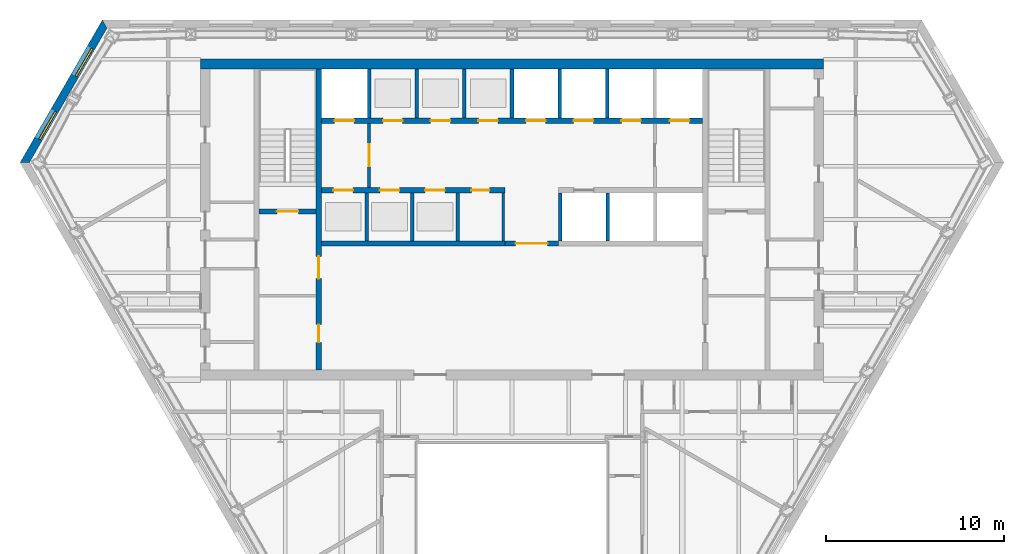
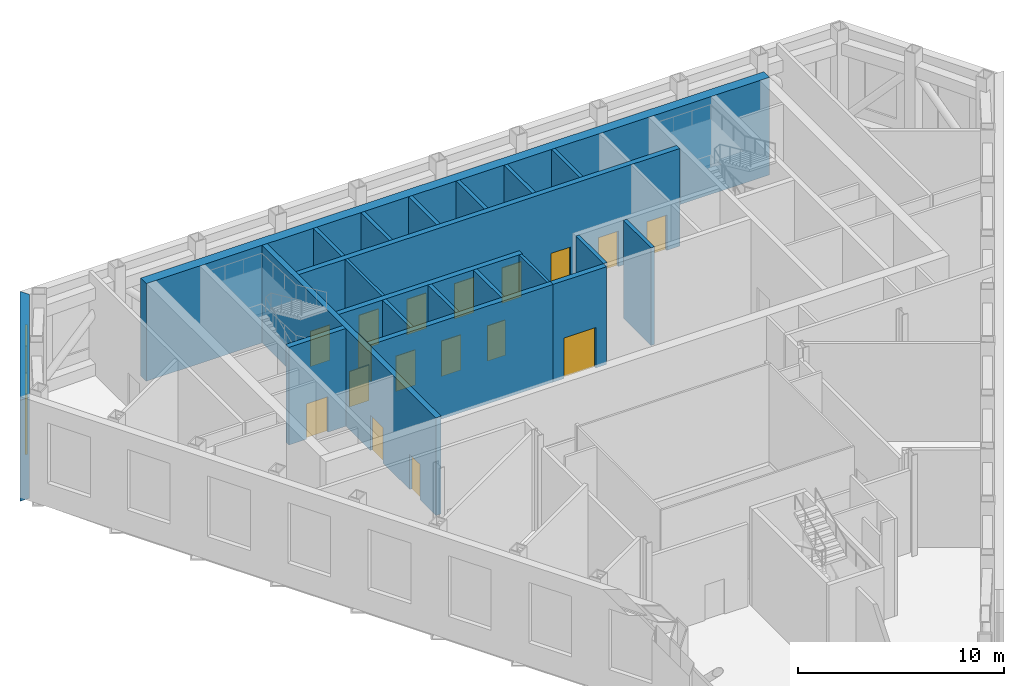
# One storey, part 9 of 15: 21 walls, 17 doors, 2 shading devices, 19 openings.
"""IFC4 building model written with IfcOpenShell, lengths in metres."""

from ifc_helpers import new_model, si_unit, direction, frame, frame_2d, origin, place, context, subcontext, project, spatial, polyline, rectangle, outline, extrude, material, layer, layer_set, type_object, element, fill, save


model = new_model("IFC4")

# Units and contexts
model_context = context("Model", 3, precision=1e-05, world=origin(), true_north=direction((0.0, 1.0)))
body_context = subcontext(model_context, "Body", "Model", "MODEL_VIEW")
ifc_project = project(units=[si_unit("LENGTHUNIT", "METRE"), si_unit("AREAUNIT", "SQUARE_METRE"), si_unit("VOLUMEUNIT", "CUBIC_METRE"), si_unit("PLANEANGLEUNIT", "RADIAN"), si_unit("MASSUNIT", "GRAM", prefix="KILO")], contexts=[model_context])

# Site, building, storey
site_placement = place(None, origin())
site = spatial("IfcSite", under=ifc_project, at=site_placement, CompositionType="ELEMENT")
building_placement = place(site_placement, origin())
building = spatial("IfcBuilding", under=site, at=building_placement, Name="Njiva Tower", CompositionType="ELEMENT")
storey_placement = place(building_placement, frame((0.0, 0.0, 133.8)))
storey = spatial("IfcBuildingStorey", under=building, at=storey_placement, Name="L28", CompositionType="ELEMENT", Elevation=133.8)

# Wall
ifc_material_1 = material(Name="Blockwork", Category="masonry")
ifc_layer_1 = layer(ifc_material_1, 0.15)
ifc_layer_set_1 = layer_set([ifc_layer_1], Name="Blockwork")
wall_type_1 = type_object("IfcWallType", Name="WT1 Compartment partition 150", PredefinedType="PARTITIONING", material=ifc_layer_set_1)
wall_1_placement = place(storey_placement, frame((-0.5, 7.8, 0.0), z_axis=(0.0, 0.0, 1.0), x_axis=(0.0, 1.0, 0.0)))
element("IfcWall", 1, at=wall_1_placement, inside=storey, type_object=wall_type_1, Name="Partition CS4", PredefinedType="PARTITIONING", context=body_context, shape_type="SweptSolid", body=[
    extrude(rectangle(XDim=2.7, YDim=0.15, at=frame_2d((1.35, 0.0))), origin(), (0.0, 0.0, 1.0), 5.8),
])

# Wall, openings, doors
ifc_material_2 = material(Name="Concrete C40/50", Category="concrete")
ifc_layer_2 = layer(ifc_material_2, 0.3)
ifc_layer_set_2 = layer_set([ifc_layer_2], Name="Concrete C40/50")
wall_type_2 = type_object("IfcWallType", Name="WT10 Stair enclosure wall 300", PredefinedType="SHEAR", material=ifc_layer_set_2)
wall_2_placement = place(storey_placement, frame((-10.85, 0.55, 0.0), z_axis=(0.0, 0.0, 1.0), x_axis=(0.0, 1.0, 0.0)))
wall_2 = element("IfcWall", 2, at=wall_2_placement, inside=storey, type_object=wall_type_2, Name="Stair wall west inner", PredefinedType="SHEAR", context=body_context, shape_type="SweptSolid", body=[
    extrude(rectangle(XDim=16.9, YDim=0.3, at=frame_2d((8.45, 0.0))), origin(), (0.0, 0.0, 1.0), 5.8),
])
opening_1_placement = place(wall_2_placement, frame((5.125, 0.0, 0.0)))
opening_1 = element("IfcOpeningElement", 3, at=opening_1_placement, cuts=wall_2, Name="Opening T2-D916", PredefinedType="OPENING", context=body_context, shape_type="SweptSolid", body=[
    extrude(rectangle(XDim=1.25, YDim=2.1, at=frame_2d((0.625, 1.05))), frame((0.0, 0.16, 0.0), z_axis=(0.0, -1.0, 0.0), x_axis=(1.0, 0.0, 0.0)), (0.0, 0.0, 1.0), 0.32),
])
opening_2_placement = place(wall_2_placement, frame((1.55, 0.0, 0.0)))
opening_2 = element("IfcOpeningElement", 4, at=opening_2_placement, cuts=wall_2, Name="Opening T2-D917", PredefinedType="OPENING", context=body_context, shape_type="SweptSolid", body=[
    extrude(rectangle(XDim=1.0, YDim=2.1, at=frame_2d((0.5, 1.05))), frame((0.0, 0.16, 0.0), z_axis=(0.0, -1.0, 0.0), x_axis=(1.0, 0.0, 0.0)), (0.0, 0.0, 1.0), 0.32),
])
ifc_material_3 = material(Name="Steel door, painted", Category="steel")
door_type_1 = type_object("IfcDoorType", Name="D5 Steel door 1000x2100", OperationType="SINGLE_SWING_LEFT", PredefinedType="DOOR", material=ifc_material_3)
door_1_placement = place(opening_2_placement, origin())
door_1 = element("IfcDoor", 5, at=door_1_placement, inside=storey, type_object=door_type_1, Name="Mechanical plant room door", OperationType="SINGLE_SWING_RIGHT", OverallHeight=2.1, OverallWidth=1.0, PredefinedType="DOOR", context=body_context, shape_type="SweptSolid", body=[
    extrude(rectangle(XDim=1.0, YDim=2.1, at=frame_2d((0.5, 1.05))), frame((0.0, 0.025, 0.0), z_axis=(0.0, -1.0, 0.0), x_axis=(1.0, 0.0, 0.0)), (0.0, 0.0, 1.0), 0.05),
])
fill(opening_2, door_1)
ifc_material_4 = material(Name="Glazed steel fire door", Category="steel")
door_type_2 = type_object("IfcDoorType", Name="D8 Vestibule corridor door 1250x2100 glazed", OperationType="SINGLE_SWING_LEFT", PredefinedType="DOOR", material=ifc_material_4)
door_2_placement = place(opening_1_placement, origin())
door_2 = element("IfcDoor", 6, at=door_2_placement, inside=storey, type_object=door_type_2, Name="Stair vestibule corridor door", OperationType="SINGLE_SWING_LEFT", OverallHeight=2.1, OverallWidth=1.25, PredefinedType="DOOR", context=body_context, shape_type="SweptSolid", body=[
    extrude(rectangle(XDim=1.25, YDim=2.1, at=frame_2d((0.625, 1.05))), frame((0.0, 0.025, 0.0), z_axis=(0.0, -1.0, 0.0), x_axis=(1.0, 0.0, 0.0)), (0.0, 0.0, 1.0), 0.05),
])
fill(opening_1, door_2)

# Wall, opening, door
wall_3_placement = place(storey_placement, frame((-14.2, 9.45, 0.0), z_axis=(0.0, 0.0, 1.0), x_axis=(1.0, 0.0, 0.0)))
wall_3 = element("IfcWall", 7, at=wall_3_placement, inside=storey, type_object=wall_type_2, Name="Stair A south wall", PredefinedType="SHEAR", context=body_context, shape_type="SweptSolid", body=[
    extrude(rectangle(XDim=3.2, YDim=0.3, at=frame_2d((1.6, 0.0))), origin(), (0.0, 0.0, 1.0), 5.8),
])
opening_3_placement = place(wall_3_placement, frame((1.0, 0.0, 0.0)))
opening_3 = element("IfcOpeningElement", 8, at=opening_3_placement, cuts=wall_3, Name="Opening T2-D915", PredefinedType="OPENING", context=body_context, shape_type="SweptSolid", body=[
    extrude(rectangle(XDim=1.2, YDim=2.1, at=frame_2d((0.6, 1.05))), frame((0.0, 0.16, 0.0), z_axis=(0.0, -1.0, 0.0), x_axis=(1.0, 0.0, 0.0)), (0.0, 0.0, 1.0), 0.32),
])
door_type_3 = type_object("IfcDoorType", Name="D7 Stair vestibule door 1200x2100 glazed", OperationType="SINGLE_SWING_LEFT", PredefinedType="DOOR", material=ifc_material_4)
door_3_placement = place(opening_3_placement, origin())
door_3 = element("IfcDoor", 9, at=door_3_placement, inside=storey, type_object=door_type_3, Name="Stair A door", OperationType="SINGLE_SWING_LEFT", OverallHeight=2.1, OverallWidth=1.2, PredefinedType="DOOR", context=body_context, shape_type="SweptSolid", body=[
    extrude(rectangle(XDim=1.2, YDim=2.1, at=frame_2d((0.6, 1.05))), frame((0.0, 0.025, 0.0), z_axis=(0.0, -1.0, 0.0), x_axis=(1.0, 0.0, 0.0)), (0.0, 0.0, 1.0), 0.05),
])
fill(opening_3, door_3)

# Wall
ifc_material_5 = material(Name="Concrete C60/75", Category="concrete")
ifc_layer_3 = layer(ifc_material_5, 0.55)
ifc_layer_set_3 = layer_set([ifc_layer_3], Name="Concrete C60/75")
wall_type_3 = type_object("IfcWallType", Name="WT14 Core wall 550", PredefinedType="SHEAR", material=ifc_layer_set_3)
wall_4_placement = place(storey_placement, frame((-17.5, 17.725, 0.0), z_axis=(0.0, 0.0, 1.0), x_axis=(1.0, 0.0, 0.0)))
element("IfcWall", 10, at=wall_4_placement, inside=storey, type_object=wall_type_3, Name="Core wall north", PredefinedType="SHEAR", context=body_context, shape_type="SweptSolid", body=[
    extrude(rectangle(XDim=35.0, YDim=0.55, at=frame_2d((17.5, 0.0))), origin(), (0.0, 0.0, 1.0), 5.8),
])

# Wall, opening, door
ifc_layer_4 = layer(ifc_material_1, 0.15)
ifc_layer_set_4 = layer_set([ifc_layer_4], Name="Blockwork")
wall_type_4 = type_object("IfcWallType", Name="WT2 Lobby partition 150", PredefinedType="PARTITIONING", material=ifc_layer_set_4)
wall_5_placement = place(storey_placement, frame((-8.025, 10.8, 0.0), z_axis=(0.0, 0.0, 1.0), x_axis=(0.0, 1.0, 0.0)))
wall_5 = element("IfcWall", 11, at=wall_5_placement, inside=storey, type_object=wall_type_4, Name="Firefighting lobby wall A", PredefinedType="PARTITIONING", context=body_context, shape_type="SweptSolid", body=[
    extrude(rectangle(XDim=3.6, YDim=0.15, at=frame_2d((1.8, 0.0))), origin(), (0.0, 0.0, 1.0), 5.8),
])
opening_4_placement = place(wall_5_placement, frame((1.175, 0.0, 0.0)))
opening_4 = element("IfcOpeningElement", 12, at=opening_4_placement, cuts=wall_5, Name="Opening T2-D914", PredefinedType="OPENING", context=body_context, shape_type="SweptSolid", body=[
    extrude(rectangle(XDim=1.25, YDim=2.1, at=frame_2d((0.625, 1.05))), frame((0.0, 0.085, 0.0), z_axis=(0.0, -1.0, 0.0), x_axis=(1.0, 0.0, 0.0)), (0.0, 0.0, 1.0), 0.17),
])
door_4_placement = place(opening_4_placement, origin())
door_4 = element("IfcDoor", 13, at=door_4_placement, inside=storey, type_object=door_type_2, Name="Stair vestibule corridor door", OperationType="SINGLE_SWING_RIGHT", OverallHeight=2.1, OverallWidth=1.25, PredefinedType="DOOR", context=body_context, shape_type="SweptSolid", body=[
    extrude(rectangle(XDim=1.25, YDim=2.1, at=frame_2d((0.625, 1.05))), frame((0.0, 0.025, 0.0), z_axis=(0.0, -1.0, 0.0), x_axis=(1.0, 0.0, 0.0)), (0.0, 0.0, 1.0), 0.05),
])
fill(opening_4, door_4)

ifc_layer_5 = layer(ifc_material_1, 0.3)
ifc_layer_set_5 = layer_set([ifc_layer_5], Name="Blockwork")
wall_type_5 = type_object("IfcWallType", Name="WT5 Lobby partition 300", PredefinedType="PARTITIONING", material=ifc_layer_set_5)
wall_6_placement = place(storey_placement, frame((-0.4, 7.65, 0.0), z_axis=(0.0, 0.0, 1.0), x_axis=(1.0, 0.0, 0.0)))
wall_6 = element("IfcWall", 14, at=wall_6_placement, inside=storey, type_object=wall_type_5, Name="Lift lobby screen wall", PredefinedType="PARTITIONING", context=body_context, shape_type="SweptSolid", body=[
    extrude(rectangle(XDim=3.0, YDim=0.3, at=frame_2d((1.5, 0.0))), origin(), (0.0, 0.0, 1.0), 5.8),
])
opening_5_placement = place(wall_6_placement, frame((0.6, 0.0, 0.0)))
opening_5 = element("IfcOpeningElement", 15, at=opening_5_placement, cuts=wall_6, Name="Opening T2-D934", PredefinedType="OPENING", context=body_context, shape_type="SweptSolid", body=[
    extrude(rectangle(XDim=1.8, YDim=2.4, at=frame_2d((0.9, 1.2))), frame((0.0, 0.16, 0.0), z_axis=(0.0, -1.0, 0.0), x_axis=(1.0, 0.0, 0.0)), (0.0, 0.0, 1.0), 0.32),
])
ifc_material_6 = material(Name="Steel and glass door", Category="steel")
door_type_4 = type_object("IfcDoorType", Name="D3 Core entrance door 1800x2400", OperationType="DOUBLE_DOOR_SINGLE_SWING", PredefinedType="DOOR", material=ifc_material_6)
door_5_placement = place(opening_5_placement, origin())
door_5 = element("IfcDoor", 16, at=door_5_placement, inside=storey, type_object=door_type_4, Name="Core entrance door", OperationType="DOUBLE_DOOR_SINGLE_SWING", OverallHeight=2.4, OverallWidth=1.8, PredefinedType="DOOR", context=body_context, shape_type="SweptSolid", body=[
    extrude(rectangle(XDim=1.8, YDim=2.4, at=frame_2d((0.9, 1.2))), frame((0.0, 0.025, 0.0), z_axis=(0.0, -1.0, 0.0), x_axis=(1.0, 0.0, 0.0)), (0.0, 0.0, 1.0), 0.05),
])
fill(opening_5, door_5)

# Walls
ifc_layer_6 = layer(ifc_material_2, 0.2)
ifc_layer_set_6 = layer_set([ifc_layer_6], Name="Concrete C40/50")
wall_type_6 = type_object("IfcWallType", Name="WT6 Lift shaft wall 200", PredefinedType="SHEAR", material=ifc_layer_set_6)
for number, where, z_axis, x_axis, name in (
    (17, (-8.025, 14.7, 0.0), (0.0, 0.0, 1.0), (0.0, 1.0, 0.0), "Shaft wall CN1"),
    (18, (-5.35, 14.7, 0.0), (0.0, 0.0, 1.0), (0.0, 1.0, 0.0), "Shaft wall CN2"),
    (19, (-2.675, 14.7, 0.0), (0.0, 0.0, 1.0), (0.0, 1.0, 0.0), "Shaft wall CN3"),
    (20, (0.0, 14.7, 0.0), (0.0, 0.0, 1.0), (0.0, 1.0, 0.0), "Shaft wall CN4"),
    (21, (2.675, 14.7, 0.0), (0.0, 0.0, 1.0), (0.0, 1.0, 0.0), "Shaft wall CN5"),
    (22, (5.35, 14.7, 0.0), (0.0, 0.0, 1.0), (0.0, 1.0, 0.0), "Shaft wall CN6"),
):
    element("IfcWall", number, at=place(storey_placement, frame(where, z_axis=z_axis, x_axis=x_axis)), inside=storey, type_object=wall_type_6, Name=name, PredefinedType="SHEAR", context=body_context, shape_type="SweptSolid", body=[
        extrude(rectangle(XDim=2.75, YDim=0.2, at=frame_2d((1.375, 0.0))), origin(), (0.0, 0.0, 1.0), 5.8),
    ])
for number, where, z_axis, x_axis, name in (
    (23, (-8.15, 7.8, 0.0), (0.0, 0.0, 1.0), (0.0, 1.0, 0.0), "Shaft wall CS1"),
    (24, (-5.6, 7.8, 0.0), (0.0, 0.0, 1.0), (0.0, 1.0, 0.0), "Shaft wall CS2"),
    (25, (-3.05, 7.8, 0.0), (0.0, 0.0, 1.0), (0.0, 1.0, 0.0), "Shaft wall CS3"),
    (26, (2.7, 7.8, 0.0), (0.0, 0.0, 1.0), (0.0, 1.0, 0.0), "Shaft wall CS5"),
    (27, (5.3667, 7.8, 0.0), (0.0, 0.0, 1.0), (0.0, 1.0, 0.0), "Shaft wall CS6"),
):
    element("IfcWall", number, at=place(storey_placement, frame(where, z_axis=z_axis, x_axis=x_axis)), inside=storey, type_object=wall_type_6, Name=name, PredefinedType="SHEAR", context=body_context, shape_type="SweptSolid", body=[
        extrude(rectangle(XDim=2.7, YDim=0.2, at=frame_2d((1.35, 0.0))), origin(), (0.0, 0.0, 1.0), 5.8),
    ])

# Wall, openings, doors
ifc_layer_7 = layer(ifc_material_2, 0.3)
ifc_layer_set_7 = layer_set([ifc_layer_7], Name="Concrete C40/50")
wall_type_7 = type_object("IfcWallType", Name="WT7 Lift shaft wall 300", PredefinedType="SHEAR", material=ifc_layer_set_7)
wall_7_placement = place(storey_placement, frame((-10.7, 14.55, 0.0), z_axis=(0.0, 0.0, 1.0), x_axis=(1.0, 0.0, 0.0)))
wall_7 = element("IfcWall", 28, at=wall_7_placement, inside=storey, type_object=wall_type_7, Name="Shaft wall north row lobby side", PredefinedType="SHEAR", context=body_context, shape_type="SweptSolid", body=[
    extrude(rectangle(XDim=21.4, YDim=0.3, at=frame_2d((10.7, 0.0))), origin(), (0.0, 0.0, 1.0), 5.8),
])
opening_6_placement = place(wall_7_placement, frame((0.7375, 0.0, 0.0)))
opening_6 = element("IfcOpeningElement", 29, at=opening_6_placement, cuts=wall_7, Name="Opening T2-D901", PredefinedType="OPENING", context=body_context, shape_type="SweptSolid", body=[
    extrude(rectangle(XDim=1.1, YDim=2.1, at=frame_2d((0.55, 1.05))), frame((0.0, 0.16, 0.0), z_axis=(0.0, -1.0, 0.0), x_axis=(1.0, 0.0, 0.0)), (0.0, 0.0, 1.0), 0.32),
])
opening_7_placement = place(wall_7_placement, frame((3.4625, 0.0, 0.0)))
opening_7 = element("IfcOpeningElement", 30, at=opening_7_placement, cuts=wall_7, Name="Opening T2-D902", PredefinedType="OPENING", context=body_context, shape_type="SweptSolid", body=[
    extrude(rectangle(XDim=1.1, YDim=2.1, at=frame_2d((0.55, 1.05))), frame((0.0, 0.16, 0.0), z_axis=(0.0, -1.0, 0.0), x_axis=(1.0, 0.0, 0.0)), (0.0, 0.0, 1.0), 0.32),
])
opening_8_placement = place(wall_7_placement, frame((6.1375, 0.0, 0.0)))
opening_8 = element("IfcOpeningElement", 31, at=opening_8_placement, cuts=wall_7, Name="Opening T2-D903", PredefinedType="OPENING", context=body_context, shape_type="SweptSolid", body=[
    extrude(rectangle(XDim=1.1, YDim=2.1, at=frame_2d((0.55, 1.05))), frame((0.0, 0.16, 0.0), z_axis=(0.0, -1.0, 0.0), x_axis=(1.0, 0.0, 0.0)), (0.0, 0.0, 1.0), 0.32),
])
opening_9_placement = place(wall_7_placement, frame((8.8125, 0.0, 0.0)))
opening_9 = element("IfcOpeningElement", 32, at=opening_9_placement, cuts=wall_7, Name="Opening T2-D904", PredefinedType="OPENING", context=body_context, shape_type="SweptSolid", body=[
    extrude(rectangle(XDim=1.1, YDim=2.1, at=frame_2d((0.55, 1.05))), frame((0.0, 0.16, 0.0), z_axis=(0.0, -1.0, 0.0), x_axis=(1.0, 0.0, 0.0)), (0.0, 0.0, 1.0), 0.32),
])
opening_10_placement = place(wall_7_placement, frame((11.4875, 0.0, 0.0)))
opening_10 = element("IfcOpeningElement", 33, at=opening_10_placement, cuts=wall_7, Name="Opening T2-D905", PredefinedType="OPENING", context=body_context, shape_type="SweptSolid", body=[
    extrude(rectangle(XDim=1.1, YDim=2.1, at=frame_2d((0.55, 1.05))), frame((0.0, 0.16, 0.0), z_axis=(0.0, -1.0, 0.0), x_axis=(1.0, 0.0, 0.0)), (0.0, 0.0, 1.0), 0.32),
])
opening_11_placement = place(wall_7_placement, frame((14.1625, 0.0, 0.0)))
opening_11 = element("IfcOpeningElement", 34, at=opening_11_placement, cuts=wall_7, Name="Opening T2-D906", PredefinedType="OPENING", context=body_context, shape_type="SweptSolid", body=[
    extrude(rectangle(XDim=1.1, YDim=2.1, at=frame_2d((0.55, 1.05))), frame((0.0, 0.16, 0.0), z_axis=(0.0, -1.0, 0.0), x_axis=(1.0, 0.0, 0.0)), (0.0, 0.0, 1.0), 0.32),
])
opening_12_placement = place(wall_7_placement, frame((16.8375, 0.0, 0.0)))
opening_12 = element("IfcOpeningElement", 35, at=opening_12_placement, cuts=wall_7, Name="Opening T2-D907", PredefinedType="OPENING", context=body_context, shape_type="SweptSolid", body=[
    extrude(rectangle(XDim=1.1, YDim=2.1, at=frame_2d((0.55, 1.05))), frame((0.0, 0.16, 0.0), z_axis=(0.0, -1.0, 0.0), x_axis=(1.0, 0.0, 0.0)), (0.0, 0.0, 1.0), 0.32),
])
opening_13_placement = place(wall_7_placement, frame((19.5625, 0.0, 0.0)))
opening_13 = element("IfcOpeningElement", 36, at=opening_13_placement, cuts=wall_7, Name="Opening T2-D908", PredefinedType="OPENING", context=body_context, shape_type="SweptSolid", body=[
    extrude(rectangle(XDim=1.1, YDim=2.1, at=frame_2d((0.55, 1.05))), frame((0.0, 0.16, 0.0), z_axis=(0.0, -1.0, 0.0), x_axis=(1.0, 0.0, 0.0)), (0.0, 0.0, 1.0), 0.32),
])
ifc_material_7 = material(Name="Stainless steel sliding door", Category="steel")
door_type_5 = type_object("IfcDoorType", Name="LD Lift landing door 1100x2100", OperationType="SLIDING_TO_LEFT", PredefinedType="DOOR", material=ifc_material_7)
door_6_placement = place(opening_6_placement, origin())
door_6 = element("IfcDoor", 37, at=door_6_placement, inside=storey, type_object=door_type_5, Name="Lift landing door FF1", OperationType="SLIDING_TO_LEFT", OverallHeight=2.1, OverallWidth=1.1, PredefinedType="DOOR", context=body_context, shape_type="SweptSolid", body=[
    extrude(rectangle(XDim=1.1, YDim=2.1, at=frame_2d((0.55, 1.05))), frame((0.0, 0.025, 0.0), z_axis=(0.0, -1.0, 0.0), x_axis=(1.0, 0.0, 0.0)), (0.0, 0.0, 1.0), 0.05),
])
fill(opening_6, door_6)
door_7_placement = place(opening_7_placement, origin())
door_7 = element("IfcDoor", 38, at=door_7_placement, inside=storey, type_object=door_type_5, Name="Lift landing door MB4 and LB1", OperationType="SLIDING_TO_LEFT", OverallHeight=2.1, OverallWidth=1.1, PredefinedType="DOOR", context=body_context, shape_type="SweptSolid", body=[
    extrude(rectangle(XDim=1.1, YDim=2.1, at=frame_2d((0.55, 1.05))), frame((0.0, 0.025, 0.0), z_axis=(0.0, -1.0, 0.0), x_axis=(1.0, 0.0, 0.0)), (0.0, 0.0, 1.0), 0.05),
])
fill(opening_7, door_7)
door_8_placement = place(opening_8_placement, origin())
door_8 = element("IfcDoor", 39, at=door_8_placement, inside=storey, type_object=door_type_5, Name="Lift landing door MB5 and LB2", OperationType="SLIDING_TO_LEFT", OverallHeight=2.1, OverallWidth=1.1, PredefinedType="DOOR", context=body_context, shape_type="SweptSolid", body=[
    extrude(rectangle(XDim=1.1, YDim=2.1, at=frame_2d((0.55, 1.05))), frame((0.0, 0.025, 0.0), z_axis=(0.0, -1.0, 0.0), x_axis=(1.0, 0.0, 0.0)), (0.0, 0.0, 1.0), 0.05),
])
fill(opening_8, door_8)
door_9_placement = place(opening_9_placement, origin())
door_9 = element("IfcDoor", 40, at=door_9_placement, inside=storey, type_object=door_type_5, Name="Lift landing door MB6 and LB3", OperationType="SLIDING_TO_LEFT", OverallHeight=2.1, OverallWidth=1.1, PredefinedType="DOOR", context=body_context, shape_type="SweptSolid", body=[
    extrude(rectangle(XDim=1.1, YDim=2.1, at=frame_2d((0.55, 1.05))), frame((0.0, 0.025, 0.0), z_axis=(0.0, -1.0, 0.0), x_axis=(1.0, 0.0, 0.0)), (0.0, 0.0, 1.0), 0.05),
])
fill(opening_9, door_9)
door_10_placement = place(opening_10_placement, origin())
door_10 = element("IfcDoor", 41, at=door_10_placement, inside=storey, type_object=door_type_5, Name="Lift landing door SA2", OperationType="SLIDING_TO_LEFT", OverallHeight=2.1, OverallWidth=1.1, PredefinedType="DOOR", context=body_context, shape_type="SweptSolid", body=[
    extrude(rectangle(XDim=1.1, YDim=2.1, at=frame_2d((0.55, 1.05))), frame((0.0, 0.025, 0.0), z_axis=(0.0, -1.0, 0.0), x_axis=(1.0, 0.0, 0.0)), (0.0, 0.0, 1.0), 0.05),
])
fill(opening_10, door_10)
door_11_placement = place(opening_11_placement, origin())
door_11 = element("IfcDoor", 42, at=door_11_placement, inside=storey, type_object=door_type_5, Name="Lift landing door FR1", OperationType="SLIDING_TO_LEFT", OverallHeight=2.1, OverallWidth=1.1, PredefinedType="DOOR", context=body_context, shape_type="SweptSolid", body=[
    extrude(rectangle(XDim=1.1, YDim=2.1, at=frame_2d((0.55, 1.05))), frame((0.0, 0.025, 0.0), z_axis=(0.0, -1.0, 0.0), x_axis=(1.0, 0.0, 0.0)), (0.0, 0.0, 1.0), 0.05),
])
fill(opening_11, door_11)
door_12_placement = place(opening_12_placement, origin())
door_12 = element("IfcDoor", 43, at=door_12_placement, inside=storey, type_object=door_type_5, Name="Lift landing door FR2", OperationType="SLIDING_TO_LEFT", OverallHeight=2.1, OverallWidth=1.1, PredefinedType="DOOR", context=body_context, shape_type="SweptSolid", body=[
    extrude(rectangle(XDim=1.1, YDim=2.1, at=frame_2d((0.55, 1.05))), frame((0.0, 0.025, 0.0), z_axis=(0.0, -1.0, 0.0), x_axis=(1.0, 0.0, 0.0)), (0.0, 0.0, 1.0), 0.05),
])
fill(opening_12, door_12)
door_13_placement = place(opening_13_placement, origin())
door_13 = element("IfcDoor", 44, at=door_13_placement, inside=storey, type_object=door_type_5, Name="Lift landing door FF2", OperationType="SLIDING_TO_LEFT", OverallHeight=2.1, OverallWidth=1.1, PredefinedType="DOOR", context=body_context, shape_type="SweptSolid", body=[
    extrude(rectangle(XDim=1.1, YDim=2.1, at=frame_2d((0.55, 1.05))), frame((0.0, 0.025, 0.0), z_axis=(0.0, -1.0, 0.0), x_axis=(1.0, 0.0, 0.0)), (0.0, 0.0, 1.0), 0.05),
])
fill(opening_13, door_13)

wall_8_placement = place(storey_placement, frame((-10.7, 10.65, 0.0), z_axis=(0.0, 0.0, 1.0), x_axis=(1.0, 0.0, 0.0)))
wall_8 = element("IfcWall", 45, at=wall_8_placement, inside=storey, type_object=wall_type_7, Name="Shaft wall south row lobby side W", PredefinedType="SHEAR", context=body_context, shape_type="SweptSolid", body=[
    extrude(rectangle(XDim=10.3, YDim=0.3, at=frame_2d((5.15, 0.0))), origin(), (0.0, 0.0, 1.0), 5.8),
])
opening_14_placement = place(wall_8_placement, frame((0.675, 0.0, 0.0)))
opening_14 = element("IfcOpeningElement", 46, at=opening_14_placement, cuts=wall_8, Name="Opening T2-D909", PredefinedType="OPENING", context=body_context, shape_type="SweptSolid", body=[
    extrude(rectangle(XDim=1.1, YDim=2.1, at=frame_2d((0.55, 1.05))), frame((0.0, 0.16, 0.0), z_axis=(0.0, -1.0, 0.0), x_axis=(1.0, 0.0, 0.0)), (0.0, 0.0, 1.0), 0.32),
])
opening_15_placement = place(wall_8_placement, frame((3.275, 0.0, 0.0)))
opening_15 = element("IfcOpeningElement", 47, at=opening_15_placement, cuts=wall_8, Name="Opening T2-D910", PredefinedType="OPENING", context=body_context, shape_type="SweptSolid", body=[
    extrude(rectangle(XDim=1.1, YDim=2.1, at=frame_2d((0.55, 1.05))), frame((0.0, 0.16, 0.0), z_axis=(0.0, -1.0, 0.0), x_axis=(1.0, 0.0, 0.0)), (0.0, 0.0, 1.0), 0.32),
])
opening_16_placement = place(wall_8_placement, frame((5.825, 0.0, 0.0)))
opening_16 = element("IfcOpeningElement", 48, at=opening_16_placement, cuts=wall_8, Name="Opening T2-D911", PredefinedType="OPENING", context=body_context, shape_type="SweptSolid", body=[
    extrude(rectangle(XDim=1.1, YDim=2.1, at=frame_2d((0.55, 1.05))), frame((0.0, 0.16, 0.0), z_axis=(0.0, -1.0, 0.0), x_axis=(1.0, 0.0, 0.0)), (0.0, 0.0, 1.0), 0.32),
])
opening_17_placement = place(wall_8_placement, frame((8.425, 0.0, 0.0)))
opening_17 = element("IfcOpeningElement", 49, at=opening_17_placement, cuts=wall_8, Name="Opening T2-D913", PredefinedType="OPENING", context=body_context, shape_type="SweptSolid", body=[
    extrude(rectangle(XDim=1.0, YDim=2.1, at=frame_2d((0.5, 1.05))), frame((0.0, 0.16, 0.0), z_axis=(0.0, -1.0, 0.0), x_axis=(1.0, 0.0, 0.0)), (0.0, 0.0, 1.0), 0.32),
])
door_14_placement = place(opening_17_placement, origin())
door_14 = element("IfcDoor", 50, at=door_14_placement, inside=storey, type_object=door_type_1, Name="Telecoms plant room door", OperationType="SINGLE_SWING_RIGHT", OverallHeight=2.1, OverallWidth=1.0, PredefinedType="DOOR", context=body_context, shape_type="SweptSolid", body=[
    extrude(rectangle(XDim=1.0, YDim=2.1, at=frame_2d((0.5, 1.05))), frame((0.0, 0.025, 0.0), z_axis=(0.0, -1.0, 0.0), x_axis=(1.0, 0.0, 0.0)), (0.0, 0.0, 1.0), 0.05),
])
fill(opening_17, door_14)
door_15_placement = place(opening_14_placement, origin())
door_15 = element("IfcDoor", 51, at=door_15_placement, inside=storey, type_object=door_type_5, Name="Lift landing door MB1 and LB4", OperationType="SLIDING_TO_LEFT", OverallHeight=2.1, OverallWidth=1.1, PredefinedType="DOOR", context=body_context, shape_type="SweptSolid", body=[
    extrude(rectangle(XDim=1.1, YDim=2.1, at=frame_2d((0.55, 1.05))), frame((0.0, 0.025, 0.0), z_axis=(0.0, -1.0, 0.0), x_axis=(1.0, 0.0, 0.0)), (0.0, 0.0, 1.0), 0.05),
])
fill(opening_14, door_15)
door_16_placement = place(opening_15_placement, origin())
door_16 = element("IfcDoor", 52, at=door_16_placement, inside=storey, type_object=door_type_5, Name="Lift landing door MB2 and LB5", OperationType="SLIDING_TO_LEFT", OverallHeight=2.1, OverallWidth=1.1, PredefinedType="DOOR", context=body_context, shape_type="SweptSolid", body=[
    extrude(rectangle(XDim=1.1, YDim=2.1, at=frame_2d((0.55, 1.05))), frame((0.0, 0.025, 0.0), z_axis=(0.0, -1.0, 0.0), x_axis=(1.0, 0.0, 0.0)), (0.0, 0.0, 1.0), 0.05),
])
fill(opening_15, door_16)
door_17_placement = place(opening_16_placement, origin())
door_17 = element("IfcDoor", 53, at=door_17_placement, inside=storey, type_object=door_type_5, Name="Lift landing door MB3 and LB6", OperationType="SLIDING_TO_LEFT", OverallHeight=2.1, OverallWidth=1.1, PredefinedType="DOOR", context=body_context, shape_type="SweptSolid", body=[
    extrude(rectangle(XDim=1.1, YDim=2.1, at=frame_2d((0.55, 1.05))), frame((0.0, 0.025, 0.0), z_axis=(0.0, -1.0, 0.0), x_axis=(1.0, 0.0, 0.0)), (0.0, 0.0, 1.0), 0.05),
])
fill(opening_16, door_17)

# Wall
wall_9_placement = place(storey_placement, frame((-10.7, 7.65, 0.0), z_axis=(0.0, 0.0, 1.0), x_axis=(1.0, 0.0, 0.0)))
element("IfcWall", 54, at=wall_9_placement, inside=storey, type_object=wall_type_7, Name="Shaft wall south row back W", PredefinedType="SHEAR", context=body_context, shape_type="SweptSolid", body=[
    extrude(rectangle(XDim=10.3, YDim=0.3, at=frame_2d((5.15, 0.0))), origin(), (0.0, 0.0, 1.0), 5.8),
])

# Wall, openings, shading devices
ifc_material_8 = material(Name="Brick masonry, buff", Category="masonry")
ifc_layer_8 = layer(ifc_material_8, 0.45)
ifc_layer_set_8 = layer_set([ifc_layer_8], Name="Brick masonry, buff")
wall_type_8 = type_object("IfcWallType", Name="WT94 Brick pier and spandrel wall 450, buff", PredefinedType="SOLIDWALL", material=ifc_layer_set_8)
wall_10_placement = place(storey_placement, frame((-22.8713, 19.9728, -0.4), z_axis=(0.0, 0.0, 1.0), x_axis=(-0.500003921696, -0.86602313958, 0.0)))
wall_10 = element("IfcWall", 55, at=wall_10_placement, inside=storey, type_object=wall_type_8, Name="Facade wall NW", PredefinedType="SOLIDWALL", context=body_context, shape_type="SweptSolid", body=[
    extrude(outline(polyline([(-0.1299, -0.225), (9.11, -0.225), (8.8502, 0.225), (0.1299, 0.225), (-0.1299, -0.225)])), origin(), (0.0, 0.0, 1.0), 6.0),
])
opening_18_placement = place(wall_10_placement, frame((1.5494, 0.0, 1.6)))
opening_18 = element("IfcOpeningElement", 56, at=opening_18_placement, cuts=wall_10, Name="Opening T2-LV11", PredefinedType="OPENING", context=body_context, shape_type="SweptSolid", body=[
    extrude(rectangle(XDim=1.8, YDim=3.6, at=frame_2d((0.9, 1.8))), frame((0.0, 0.235, 0.0), z_axis=(0.0, -1.0, 0.0), x_axis=(1.0, 0.0, 0.0)), (0.0, 0.0, 1.0), 0.47),
])
opening_19_placement = place(wall_10_placement, frame((5.6307, 0.0, 1.6)))
opening_19 = element("IfcOpeningElement", 57, at=opening_19_placement, cuts=wall_10, Name="Opening T2-LV12", PredefinedType="OPENING", context=body_context, shape_type="SweptSolid", body=[
    extrude(rectangle(XDim=1.8, YDim=3.6, at=frame_2d((0.9, 1.8))), frame((0.0, 0.235, 0.0), z_axis=(0.0, -1.0, 0.0), x_axis=(1.0, 0.0, 0.0)), (0.0, 0.0, 1.0), 0.47),
])
ifc_material_9 = material(Name="Aluminium louvre blades", Category="aluminium")
shading_device_type = type_object("IfcShadingDeviceType", Name="LV2 Plant louvre 1800x3600", PredefinedType="JALOUSIE", material=ifc_material_9)
shading_device_1_placement = place(opening_18_placement, origin())
shading_device_1 = element("IfcShadingDevice", 58, at=shading_device_1_placement, inside=storey, type_object=shading_device_type, Name="Plant louvre", PredefinedType="JALOUSIE", context=body_context, shape_type="SweptSolid", body=[
    extrude(rectangle(XDim=1.8, YDim=3.6, at=frame_2d((0.9, 1.8))), frame((0.0, 0.125, 0.0), z_axis=(0.0, -1.0, 0.0), x_axis=(1.0, 0.0, 0.0)), (0.0, 0.0, 1.0), 0.1),
])
fill(opening_18, shading_device_1)
shading_device_2_placement = place(opening_19_placement, origin())
shading_device_2 = element("IfcShadingDevice", 59, at=shading_device_2_placement, inside=storey, type_object=shading_device_type, Name="Plant louvre", PredefinedType="JALOUSIE", context=body_context, shape_type="SweptSolid", body=[
    extrude(rectangle(XDim=1.8, YDim=3.6, at=frame_2d((0.9, 1.8))), frame((0.0, 0.125, 0.0), z_axis=(0.0, -1.0, 0.0), x_axis=(1.0, 0.0, 0.0)), (0.0, 0.0, 1.0), 0.1),
])
fill(opening_19, shading_device_2)

save(model, "model.ifc")
